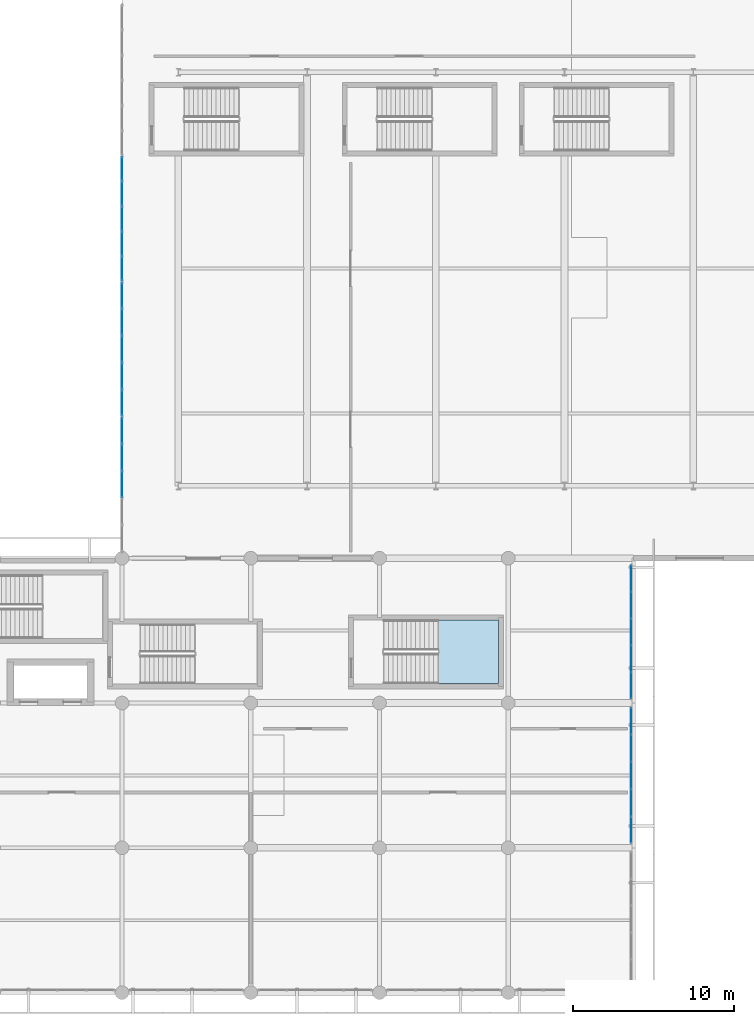
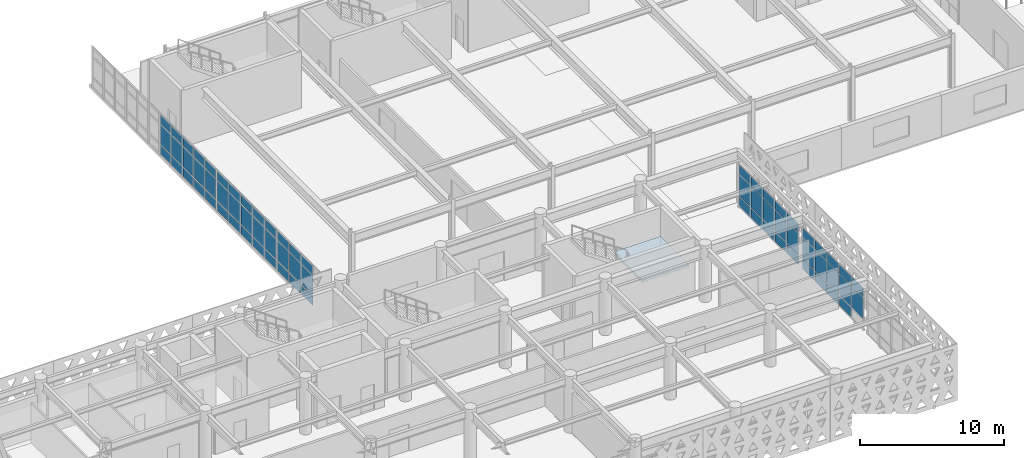
# One storey, part 32 of 54: 68 plates, 1 slab, 6 elements without a shape of their own.
"""IFC4 building model written with IfcOpenShell, lengths in metres."""

from ifc_helpers import new_model, si_unit, direction, frame, origin, origin_2d, place, context, subcontext, project, spatial, polyline, rectangle, outline, extrude, material, layer, layer_set, type_object, element, aggregate, save


model = new_model("IFC4")

# Units and contexts
model_context = context("Model", 3, precision=1e-05, world=origin(), true_north=direction((0.0, 1.0)))
body_context = subcontext(model_context, "Body", "Model", "MODEL_VIEW")
ifc_project = project(units=[si_unit("LENGTHUNIT", "METRE"), si_unit("AREAUNIT", "SQUARE_METRE"), si_unit("VOLUMEUNIT", "CUBIC_METRE"), si_unit("PLANEANGLEUNIT", "RADIAN"), si_unit("MASSUNIT", "GRAM", prefix="KILO")], contexts=[model_context])

# Site, building, storey
site_placement = place(None, origin())
site = spatial("IfcSite", under=ifc_project, at=site_placement, CompositionType="ELEMENT")
building_placement = place(site_placement, origin())
building = spatial("IfcBuilding", under=site, at=building_placement, Name="Tlacozan Convention Centre", CompositionType="ELEMENT")
storey_placement = place(building_placement, frame((0.0, 0.0, 11.39990234375)))
storey = spatial("IfcBuildingStorey", under=building, at=storey_placement, Name="L02", CompositionType="ELEMENT", Elevation=11.39990234375)

# Curtain wall, plates
ifc_material_1 = material(Name="Dark Bronze Anodised Aluminium", Category="aluminium")
ifc_layer_1 = layer(ifc_material_1, 0.159912109375)
ifc_layer_set_1 = layer_set([ifc_layer_1], Name="Dark Bronze Anodised Aluminium")
curtain_wall_type_1 = type_object("IfcCurtainWallType", Name="Unitised Congress Gable End CW06", PredefinedType="NOTDEFINED", material=ifc_layer_set_1)
curtain_wall_1_placement = place(storey_placement, origin())
curtain_wall_1 = element("IfcCurtainWall", 1, at=curtain_wall_1_placement, inside=storey, type_object=curtain_wall_type_1, Name="L02 CW-06 Run 99", PredefinedType="NOTDEFINED")
ifc_material_2 = material(Name="Solar Control Double Low-E Argon Glazing", Category="glass")
ifc_layer_2 = layer(ifc_material_2, 0.02001953125)
ifc_layer_set_2 = layer_set([ifc_layer_2], Name="Solar Control Double Low-E Argon Glazing")
plate_type = type_object("IfcPlateType", Name="Double Low-E Glazed CW Panel 20", PredefinedType="CURTAIN_PANEL", material=ifc_layer_set_2)
plate_1_placement = place(storey_placement, frame((119.639892578125, 10.114990234375, 0.93017578125), z_axis=(0.0, 0.0, 1.0), x_axis=(0.0, 1.0, 0.0)))
plate_1 = element("IfcPlate", 2, at=plate_1_placement, type_object=plate_type, Name="CW-06 panel 1.2", PredefinedType="CURTAIN_PANEL", context=body_context, shape_type="SweptSolid", body=[
    extrude(rectangle(XDim=1.610107421875, YDim=0.02001953125, at=origin_2d()), origin(), (0.0, 0.0, 1.0), 1.780029296875),
])
plate_2_placement = place(storey_placement, frame((119.639892578125, 10.114990234375, 2.77001953125), z_axis=(0.0, 0.0, 1.0), x_axis=(0.0, 1.0, 0.0)))
plate_2 = element("IfcPlate", 3, at=plate_2_placement, type_object=plate_type, Name="CW-06 panel 1.3", PredefinedType="CURTAIN_PANEL", context=body_context, shape_type="SweptSolid", body=[
    extrude(rectangle(XDim=1.610107421875, YDim=0.02001953125, at=origin_2d()), origin(), (0.0, 0.0, 1.0), 0.760009765625),
])
plate_3_placement = place(storey_placement, frame((119.639892578125, 11.800048828125, 0.06005859375), z_axis=(0.0, 0.0, 1.0), x_axis=(0.0, 1.0, 0.0)))
plate_3 = element("IfcPlate", 4, at=plate_3_placement, type_object=plate_type, Name="CW-06 panel 2.1", PredefinedType="CURTAIN_PANEL", context=body_context, shape_type="SweptSolid", body=[
    extrude(rectangle(XDim=1.639892578125, YDim=0.02001953125, at=origin_2d()), origin(), (0.0, 0.0, 1.0), 0.81005859375),
])
plate_4_placement = place(storey_placement, frame((119.639892578125, 11.800048828125, 0.93017578125), z_axis=(0.0, 0.0, 1.0), x_axis=(0.0, 1.0, 0.0)))
plate_4 = element("IfcPlate", 5, at=plate_4_placement, type_object=plate_type, Name="CW-06 panel 2.2", PredefinedType="CURTAIN_PANEL", context=body_context, shape_type="SweptSolid", body=[
    extrude(rectangle(XDim=1.639892578125, YDim=0.02001953125, at=origin_2d()), origin(), (0.0, 0.0, 1.0), 1.780029296875),
])
plate_5_placement = place(storey_placement, frame((119.639892578125, 11.800048828125, 2.77001953125), z_axis=(0.0, 0.0, 1.0), x_axis=(0.0, 1.0, 0.0)))
plate_5 = element("IfcPlate", 6, at=plate_5_placement, type_object=plate_type, Name="CW-06 panel 2.3", PredefinedType="CURTAIN_PANEL", context=body_context, shape_type="SweptSolid", body=[
    extrude(rectangle(XDim=1.639892578125, YDim=0.02001953125, at=origin_2d()), origin(), (0.0, 0.0, 1.0), 0.760009765625),
])
plate_6_placement = place(storey_placement, frame((119.639892578125, 13.5, 0.06005859375), z_axis=(0.0, 0.0, 1.0), x_axis=(0.0, 1.0, 0.0)))
plate_6 = element("IfcPlate", 7, at=plate_6_placement, type_object=plate_type, Name="CW-06 panel 3.1", PredefinedType="CURTAIN_PANEL", context=body_context, shape_type="SweptSolid", body=[
    extrude(rectangle(XDim=1.639892578125, YDim=0.02001953125, at=origin_2d()), origin(), (0.0, 0.0, 1.0), 0.81005859375),
])
plate_7_placement = place(storey_placement, frame((119.639892578125, 13.5, 0.93017578125), z_axis=(0.0, 0.0, 1.0), x_axis=(0.0, 1.0, 0.0)))
plate_7 = element("IfcPlate", 8, at=plate_7_placement, type_object=plate_type, Name="CW-06 panel 3.2", PredefinedType="CURTAIN_PANEL", context=body_context, shape_type="SweptSolid", body=[
    extrude(rectangle(XDim=1.639892578125, YDim=0.02001953125, at=origin_2d()), origin(), (0.0, 0.0, 1.0), 1.780029296875),
])
plate_8_placement = place(storey_placement, frame((119.639892578125, 13.5, 2.77001953125), z_axis=(0.0, 0.0, 1.0), x_axis=(0.0, 1.0, 0.0)))
plate_8 = element("IfcPlate", 9, at=plate_8_placement, type_object=plate_type, Name="CW-06 panel 3.3", PredefinedType="CURTAIN_PANEL", context=body_context, shape_type="SweptSolid", body=[
    extrude(rectangle(XDim=1.639892578125, YDim=0.02001953125, at=origin_2d()), origin(), (0.0, 0.0, 1.0), 0.760009765625),
])
plate_9_placement = place(storey_placement, frame((119.639892578125, 15.199951171875, 0.06005859375), z_axis=(0.0, 0.0, 1.0), x_axis=(0.0, 1.0, 0.0)))
plate_9 = element("IfcPlate", 10, at=plate_9_placement, type_object=plate_type, Name="CW-06 panel 4.1", PredefinedType="CURTAIN_PANEL", context=body_context, shape_type="SweptSolid", body=[
    extrude(rectangle(XDim=1.639892578125, YDim=0.02001953125, at=origin_2d()), origin(), (0.0, 0.0, 1.0), 0.81005859375),
])
plate_10_placement = place(storey_placement, frame((119.639892578125, 15.199951171875, 0.93017578125), z_axis=(0.0, 0.0, 1.0), x_axis=(0.0, 1.0, 0.0)))
plate_10 = element("IfcPlate", 11, at=plate_10_placement, type_object=plate_type, Name="CW-06 panel 4.2", PredefinedType="CURTAIN_PANEL", context=body_context, shape_type="SweptSolid", body=[
    extrude(rectangle(XDim=1.639892578125, YDim=0.02001953125, at=origin_2d()), origin(), (0.0, 0.0, 1.0), 1.780029296875),
])
plate_11_placement = place(storey_placement, frame((119.639892578125, 15.199951171875, 2.77001953125), z_axis=(0.0, 0.0, 1.0), x_axis=(0.0, 1.0, 0.0)))
plate_11 = element("IfcPlate", 12, at=plate_11_placement, type_object=plate_type, Name="CW-06 panel 4.3", PredefinedType="CURTAIN_PANEL", context=body_context, shape_type="SweptSolid", body=[
    extrude(rectangle(XDim=1.639892578125, YDim=0.02001953125, at=origin_2d()), origin(), (0.0, 0.0, 1.0), 0.760009765625),
])
plate_12_placement = place(storey_placement, frame((119.639892578125, 16.885009765625, 0.06005859375), z_axis=(0.0, 0.0, 1.0), x_axis=(0.0, 1.0, 0.0)))
plate_12 = element("IfcPlate", 13, at=plate_12_placement, type_object=plate_type, Name="CW-06 panel 5.1", PredefinedType="CURTAIN_PANEL", context=body_context, shape_type="SweptSolid", body=[
    extrude(rectangle(XDim=1.610107421875, YDim=0.02001953125, at=origin_2d()), origin(), (0.0, 0.0, 1.0), 0.81005859375),
])
plate_13_placement = place(storey_placement, frame((119.639892578125, 16.885009765625, 0.93017578125), z_axis=(0.0, 0.0, 1.0), x_axis=(0.0, 1.0, 0.0)))
plate_13 = element("IfcPlate", 14, at=plate_13_placement, type_object=plate_type, Name="CW-06 panel 5.2", PredefinedType="CURTAIN_PANEL", context=body_context, shape_type="SweptSolid", body=[
    extrude(rectangle(XDim=1.610107421875, YDim=0.02001953125, at=origin_2d()), origin(), (0.0, 0.0, 1.0), 1.780029296875),
])
plate_14_placement = place(storey_placement, frame((119.639892578125, 16.885009765625, 2.77001953125), z_axis=(0.0, 0.0, 1.0), x_axis=(0.0, 1.0, 0.0)))
plate_14 = element("IfcPlate", 15, at=plate_14_placement, type_object=plate_type, Name="CW-06 panel 5.3", PredefinedType="CURTAIN_PANEL", context=body_context, shape_type="SweptSolid", body=[
    extrude(rectangle(XDim=1.610107421875, YDim=0.02001953125, at=origin_2d()), origin(), (0.0, 0.0, 1.0), 0.760009765625),
])
aggregate(curtain_wall_1, [plate_1, plate_2, plate_3, plate_4, plate_5, plate_6, plate_7, plate_8, plate_9, plate_10, plate_11, plate_12, plate_13, plate_14])

curtain_wall_2_placement = place(storey_placement, origin())
curtain_wall_2 = element("IfcCurtainWall", 16, at=curtain_wall_2_placement, inside=storey, type_object=curtain_wall_type_1, Name="L02 CW-06 Run 101", PredefinedType="NOTDEFINED")
plate_15_placement = place(storey_placement, frame((119.639892578125, 19.09912109375, 0.06005859375), z_axis=(0.0, 0.0, 1.0), x_axis=(0.0, 1.0, 0.0)))
plate_15 = element("IfcPlate", 17, at=plate_15_placement, type_object=plate_type, Name="CW-06 panel 1.1", PredefinedType="CURTAIN_PANEL", context=body_context, shape_type="SweptSolid", body=[
    extrude(rectangle(XDim=1.577880859375, YDim=0.02001953125, at=origin_2d()), origin(), (0.0, 0.0, 1.0), 0.81005859375),
])
plate_16_placement = place(storey_placement, frame((119.639892578125, 19.09912109375, 0.93017578125), z_axis=(0.0, 0.0, 1.0), x_axis=(0.0, 1.0, 0.0)))
plate_16 = element("IfcPlate", 18, at=plate_16_placement, type_object=plate_type, Name="CW-06 panel 1.2", PredefinedType="CURTAIN_PANEL", context=body_context, shape_type="SweptSolid", body=[
    extrude(rectangle(XDim=1.577880859375, YDim=0.02001953125, at=origin_2d()), origin(), (0.0, 0.0, 1.0), 1.780029296875),
])
plate_17_placement = place(storey_placement, frame((119.639892578125, 19.09912109375, 2.77001953125), z_axis=(0.0, 0.0, 1.0), x_axis=(0.0, 1.0, 0.0)))
plate_17 = element("IfcPlate", 19, at=plate_17_placement, type_object=plate_type, Name="CW-06 panel 1.3", PredefinedType="CURTAIN_PANEL", context=body_context, shape_type="SweptSolid", body=[
    extrude(rectangle(XDim=1.577880859375, YDim=0.02001953125, at=origin_2d()), origin(), (0.0, 0.0, 1.0), 0.760009765625),
])
plate_18_placement = place(storey_placement, frame((119.639892578125, 20.751953125, 0.06005859375), z_axis=(0.0, 0.0, 1.0), x_axis=(0.0, 1.0, 0.0)))
plate_18 = element("IfcPlate", 20, at=plate_18_placement, type_object=plate_type, Name="CW-06 panel 2.1", PredefinedType="CURTAIN_PANEL", context=body_context, shape_type="SweptSolid", body=[
    extrude(rectangle(XDim=1.60791015625, YDim=0.02001953125, at=origin_2d()), origin(), (0.0, 0.0, 1.0), 0.81005859375),
])
plate_19_placement = place(storey_placement, frame((119.639892578125, 20.751953125, 0.93017578125), z_axis=(0.0, 0.0, 1.0), x_axis=(0.0, 1.0, 0.0)))
plate_19 = element("IfcPlate", 21, at=plate_19_placement, type_object=plate_type, Name="CW-06 panel 2.2", PredefinedType="CURTAIN_PANEL", context=body_context, shape_type="SweptSolid", body=[
    extrude(rectangle(XDim=1.60791015625, YDim=0.02001953125, at=origin_2d()), origin(), (0.0, 0.0, 1.0), 1.780029296875),
])
plate_20_placement = place(storey_placement, frame((119.639892578125, 20.751953125, 2.77001953125), z_axis=(0.0, 0.0, 1.0), x_axis=(0.0, 1.0, 0.0)))
plate_20 = element("IfcPlate", 22, at=plate_20_placement, type_object=plate_type, Name="CW-06 panel 2.3", PredefinedType="CURTAIN_PANEL", context=body_context, shape_type="SweptSolid", body=[
    extrude(rectangle(XDim=1.60791015625, YDim=0.02001953125, at=origin_2d()), origin(), (0.0, 0.0, 1.0), 0.760009765625),
])
plate_21_placement = place(storey_placement, frame((119.639892578125, 22.419921875, 0.06005859375), z_axis=(0.0, 0.0, 1.0), x_axis=(0.0, 1.0, 0.0)))
plate_21 = element("IfcPlate", 23, at=plate_21_placement, type_object=plate_type, Name="CW-06 panel 3.1", PredefinedType="CURTAIN_PANEL", context=body_context, shape_type="SweptSolid", body=[
    extrude(rectangle(XDim=1.60791015625, YDim=0.02001953125, at=origin_2d()), origin(), (0.0, 0.0, 1.0), 0.81005859375),
])
plate_22_placement = place(storey_placement, frame((119.639892578125, 22.419921875, 0.93017578125), z_axis=(0.0, 0.0, 1.0), x_axis=(0.0, 1.0, 0.0)))
plate_22 = element("IfcPlate", 24, at=plate_22_placement, type_object=plate_type, Name="CW-06 panel 3.2", PredefinedType="CURTAIN_PANEL", context=body_context, shape_type="SweptSolid", body=[
    extrude(rectangle(XDim=1.60791015625, YDim=0.02001953125, at=origin_2d()), origin(), (0.0, 0.0, 1.0), 1.780029296875),
])
plate_23_placement = place(storey_placement, frame((119.639892578125, 22.419921875, 2.77001953125), z_axis=(0.0, 0.0, 1.0), x_axis=(0.0, 1.0, 0.0)))
plate_23 = element("IfcPlate", 25, at=plate_23_placement, type_object=plate_type, Name="CW-06 panel 3.3", PredefinedType="CURTAIN_PANEL", context=body_context, shape_type="SweptSolid", body=[
    extrude(rectangle(XDim=1.60791015625, YDim=0.02001953125, at=origin_2d()), origin(), (0.0, 0.0, 1.0), 0.760009765625),
])
plate_24_placement = place(storey_placement, frame((119.639892578125, 24.087890625, 0.06005859375), z_axis=(0.0, 0.0, 1.0), x_axis=(0.0, 1.0, 0.0)))
plate_24 = element("IfcPlate", 26, at=plate_24_placement, type_object=plate_type, Name="CW-06 panel 4.1", PredefinedType="CURTAIN_PANEL", context=body_context, shape_type="SweptSolid", body=[
    extrude(rectangle(XDim=1.60791015625, YDim=0.02001953125, at=origin_2d()), origin(), (0.0, 0.0, 1.0), 0.81005859375),
])
plate_25_placement = place(storey_placement, frame((119.639892578125, 24.087890625, 0.93017578125), z_axis=(0.0, 0.0, 1.0), x_axis=(0.0, 1.0, 0.0)))
plate_25 = element("IfcPlate", 27, at=plate_25_placement, type_object=plate_type, Name="CW-06 panel 4.2", PredefinedType="CURTAIN_PANEL", context=body_context, shape_type="SweptSolid", body=[
    extrude(rectangle(XDim=1.60791015625, YDim=0.02001953125, at=origin_2d()), origin(), (0.0, 0.0, 1.0), 1.780029296875),
])
plate_26_placement = place(storey_placement, frame((119.639892578125, 24.087890625, 2.77001953125), z_axis=(0.0, 0.0, 1.0), x_axis=(0.0, 1.0, 0.0)))
plate_26 = element("IfcPlate", 28, at=plate_26_placement, type_object=plate_type, Name="CW-06 panel 4.3", PredefinedType="CURTAIN_PANEL", context=body_context, shape_type="SweptSolid", body=[
    extrude(rectangle(XDim=1.60791015625, YDim=0.02001953125, at=origin_2d()), origin(), (0.0, 0.0, 1.0), 0.760009765625),
])
plate_27_placement = place(storey_placement, frame((119.639892578125, 25.740966796875, 0.06005859375), z_axis=(0.0, 0.0, 1.0), x_axis=(0.0, 1.0, 0.0)))
plate_27 = element("IfcPlate", 29, at=plate_27_placement, type_object=plate_type, Name="CW-06 panel 5.1", PredefinedType="CURTAIN_PANEL", context=body_context, shape_type="SweptSolid", body=[
    extrude(rectangle(XDim=1.577880859375, YDim=0.02001953125, at=origin_2d()), origin(), (0.0, 0.0, 1.0), 0.81005859375),
])
plate_28_placement = place(storey_placement, frame((119.639892578125, 25.740966796875, 0.93017578125), z_axis=(0.0, 0.0, 1.0), x_axis=(0.0, 1.0, 0.0)))
plate_28 = element("IfcPlate", 30, at=plate_28_placement, type_object=plate_type, Name="CW-06 panel 5.2", PredefinedType="CURTAIN_PANEL", context=body_context, shape_type="SweptSolid", body=[
    extrude(rectangle(XDim=1.577880859375, YDim=0.02001953125, at=origin_2d()), origin(), (0.0, 0.0, 1.0), 1.780029296875),
])
plate_29_placement = place(storey_placement, frame((119.639892578125, 25.740966796875, 2.77001953125), z_axis=(0.0, 0.0, 1.0), x_axis=(0.0, 1.0, 0.0)))
plate_29 = element("IfcPlate", 31, at=plate_29_placement, type_object=plate_type, Name="CW-06 panel 5.3", PredefinedType="CURTAIN_PANEL", context=body_context, shape_type="SweptSolid", body=[
    extrude(rectangle(XDim=1.577880859375, YDim=0.02001953125, at=origin_2d()), origin(), (0.0, 0.0, 1.0), 0.760009765625),
])
aggregate(curtain_wall_2, [plate_15, plate_16, plate_17, plate_18, plate_19, plate_20, plate_21, plate_22, plate_23, plate_24, plate_25, plate_26, plate_27, plate_28, plate_29])

ifc_layer_3 = layer(ifc_material_1, 0.199951171875)
ifc_layer_set_3 = layer_set([ifc_layer_3], Name="Dark Bronze Anodised Aluminium")
curtain_wall_type_2 = type_object("IfcCurtainWallType", Name="Unitised Dining Cloister L02 CW09", PredefinedType="NOTDEFINED", material=ifc_layer_set_3)
curtain_wall_3_placement = place(storey_placement, origin())
curtain_wall_3 = element("IfcCurtainWall", 32, at=curtain_wall_3_placement, inside=storey, type_object=curtain_wall_type_2, Name="L02 CW-09 Run 156", PredefinedType="NOTDEFINED")
plate_30_placement = place(storey_placement, frame((88.0, 31.60009765625, 0.074951171875), z_axis=(0.0, 0.0, 1.0), x_axis=(0.0, 1.0, 0.0)))
plate_30 = element("IfcPlate", 33, at=plate_30_placement, type_object=plate_type, Name="CW-09 panel 3.1", PredefinedType="CURTAIN_PANEL", context=body_context, shape_type="SweptSolid", body=[
    extrude(rectangle(XDim=1.60498046875, YDim=0.02001953125, at=origin_2d()), origin(), (0.0, 0.0, 1.0), 0.78759765625),
])
plate_31_placement = place(storey_placement, frame((88.0, 31.60009765625, 0.9375), z_axis=(0.0, 0.0, 1.0), x_axis=(0.0, 1.0, 0.0)))
plate_31 = element("IfcPlate", 34, at=plate_31_placement, type_object=plate_type, Name="CW-09 panel 3.2", PredefinedType="CURTAIN_PANEL", context=body_context, shape_type="SweptSolid", body=[
    extrude(rectangle(XDim=1.60498046875, YDim=0.02001953125, at=origin_2d()), origin(), (0.0, 0.0, 1.0), 1.675048828125),
])
plate_32_placement = place(storey_placement, frame((88.0, 31.60009765625, 2.6875), z_axis=(0.0, 0.0, 1.0), x_axis=(0.0, 1.0, 0.0)))
plate_32 = element("IfcPlate", 35, at=plate_32_placement, type_object=plate_type, Name="CW-09 panel 3.3", PredefinedType="CURTAIN_PANEL", context=body_context, shape_type="SweptSolid", body=[
    extrude(rectangle(XDim=1.60498046875, YDim=0.02001953125, at=origin_2d()), origin(), (0.0, 0.0, 1.0), 0.737548828125),
])
plate_33_placement = place(storey_placement, frame((88.0, 33.280029296875, 0.074951171875), z_axis=(0.0, 0.0, 1.0), x_axis=(0.0, 1.0, 0.0)))
plate_33 = element("IfcPlate", 36, at=plate_33_placement, type_object=plate_type, Name="CW-09 panel 4.1", PredefinedType="CURTAIN_PANEL", context=body_context, shape_type="SweptSolid", body=[
    extrude(rectangle(XDim=1.60498046875, YDim=0.02001953125, at=origin_2d()), origin(), (0.0, 0.0, 1.0), 0.78759765625),
])
plate_34_placement = place(storey_placement, frame((88.0, 33.280029296875, 0.9375), z_axis=(0.0, 0.0, 1.0), x_axis=(0.0, 1.0, 0.0)))
plate_34 = element("IfcPlate", 37, at=plate_34_placement, type_object=plate_type, Name="CW-09 panel 4.2", PredefinedType="CURTAIN_PANEL", context=body_context, shape_type="SweptSolid", body=[
    extrude(rectangle(XDim=1.60498046875, YDim=0.02001953125, at=origin_2d()), origin(), (0.0, 0.0, 1.0), 1.675048828125),
])
plate_35_placement = place(storey_placement, frame((88.0, 33.280029296875, 2.6875), z_axis=(0.0, 0.0, 1.0), x_axis=(0.0, 1.0, 0.0)))
plate_35 = element("IfcPlate", 38, at=plate_35_placement, type_object=plate_type, Name="CW-09 panel 4.3", PredefinedType="CURTAIN_PANEL", context=body_context, shape_type="SweptSolid", body=[
    extrude(rectangle(XDim=1.60498046875, YDim=0.02001953125, at=origin_2d()), origin(), (0.0, 0.0, 1.0), 0.737548828125),
])
plate_36_placement = place(storey_placement, frame((88.0, 34.941162109375, 0.074951171875), z_axis=(0.0, 0.0, 1.0), x_axis=(0.0, 1.0, 0.0)))
plate_36 = element("IfcPlate", 39, at=plate_36_placement, type_object=plate_type, Name="CW-09 panel 5.1", PredefinedType="CURTAIN_PANEL", context=body_context, shape_type="SweptSolid", body=[
    extrude(rectangle(XDim=1.5673828125, YDim=0.02001953125, at=origin_2d()), origin(), (0.0, 0.0, 1.0), 0.78759765625),
])
plate_37_placement = place(storey_placement, frame((88.0, 34.941162109375, 0.9375), z_axis=(0.0, 0.0, 1.0), x_axis=(0.0, 1.0, 0.0)))
plate_37 = element("IfcPlate", 40, at=plate_37_placement, type_object=plate_type, Name="CW-09 panel 5.2", PredefinedType="CURTAIN_PANEL", context=body_context, shape_type="SweptSolid", body=[
    extrude(rectangle(XDim=1.5673828125, YDim=0.02001953125, at=origin_2d()), origin(), (0.0, 0.0, 1.0), 1.675048828125),
])
plate_38_placement = place(storey_placement, frame((88.0, 34.941162109375, 2.6875), z_axis=(0.0, 0.0, 1.0), x_axis=(0.0, 1.0, 0.0)))
plate_38 = element("IfcPlate", 41, at=plate_38_placement, type_object=plate_type, Name="CW-09 panel 5.3", PredefinedType="CURTAIN_PANEL", context=body_context, shape_type="SweptSolid", body=[
    extrude(rectangle(XDim=1.5673828125, YDim=0.02001953125, at=origin_2d()), origin(), (0.0, 0.0, 1.0), 0.737548828125),
])
aggregate(curtain_wall_3, [plate_30, plate_31, plate_32, plate_33, plate_34, plate_35, plate_36, plate_37, plate_38])

curtain_wall_4_placement = place(storey_placement, origin())
curtain_wall_4 = element("IfcCurtainWall", 42, at=curtain_wall_4_placement, inside=storey, type_object=curtain_wall_type_2, Name="L02 CW-09 Run 158", PredefinedType="NOTDEFINED")
plate_39_placement = place(storey_placement, frame((88.0, 36.65869140625, 0.074951171875), z_axis=(0.0, 0.0, 1.0), x_axis=(0.0, 1.0, 0.0)))
plate_39 = element("IfcPlate", 43, at=plate_39_placement, type_object=plate_type, Name="CW-09 panel 1.1", PredefinedType="CURTAIN_PANEL", context=body_context, shape_type="SweptSolid", body=[
    extrude(rectangle(XDim=1.5673828125, YDim=0.02001953125, at=origin_2d()), origin(), (0.0, 0.0, 1.0), 0.78759765625),
])
plate_40_placement = place(storey_placement, frame((88.0, 36.65869140625, 0.9375), z_axis=(0.0, 0.0, 1.0), x_axis=(0.0, 1.0, 0.0)))
plate_40 = element("IfcPlate", 44, at=plate_40_placement, type_object=plate_type, Name="CW-09 panel 1.2", PredefinedType="CURTAIN_PANEL", context=body_context, shape_type="SweptSolid", body=[
    extrude(rectangle(XDim=1.5673828125, YDim=0.02001953125, at=origin_2d()), origin(), (0.0, 0.0, 1.0), 1.675048828125),
])
plate_41_placement = place(storey_placement, frame((88.0, 36.65869140625, 2.6875), z_axis=(0.0, 0.0, 1.0), x_axis=(0.0, 1.0, 0.0)))
plate_41 = element("IfcPlate", 45, at=plate_41_placement, type_object=plate_type, Name="CW-09 panel 1.3", PredefinedType="CURTAIN_PANEL", context=body_context, shape_type="SweptSolid", body=[
    extrude(rectangle(XDim=1.5673828125, YDim=0.02001953125, at=origin_2d()), origin(), (0.0, 0.0, 1.0), 0.737548828125),
])
plate_42_placement = place(storey_placement, frame((88.0, 38.320068359375, 0.074951171875), z_axis=(0.0, 0.0, 1.0), x_axis=(0.0, 1.0, 0.0)))
plate_42 = element("IfcPlate", 46, at=plate_42_placement, type_object=plate_type, Name="CW-09 panel 2.1", PredefinedType="CURTAIN_PANEL", context=body_context, shape_type="SweptSolid", body=[
    extrude(rectangle(XDim=1.60498046875, YDim=0.02001953125, at=origin_2d()), origin(), (0.0, 0.0, 1.0), 0.78759765625),
])
plate_43_placement = place(storey_placement, frame((88.0, 38.320068359375, 0.9375), z_axis=(0.0, 0.0, 1.0), x_axis=(0.0, 1.0, 0.0)))
plate_43 = element("IfcPlate", 47, at=plate_43_placement, type_object=plate_type, Name="CW-09 panel 2.2", PredefinedType="CURTAIN_PANEL", context=body_context, shape_type="SweptSolid", body=[
    extrude(rectangle(XDim=1.60498046875, YDim=0.02001953125, at=origin_2d()), origin(), (0.0, 0.0, 1.0), 1.675048828125),
])
plate_44_placement = place(storey_placement, frame((88.0, 38.320068359375, 2.6875), z_axis=(0.0, 0.0, 1.0), x_axis=(0.0, 1.0, 0.0)))
plate_44 = element("IfcPlate", 48, at=plate_44_placement, type_object=plate_type, Name="CW-09 panel 2.3", PredefinedType="CURTAIN_PANEL", context=body_context, shape_type="SweptSolid", body=[
    extrude(rectangle(XDim=1.60498046875, YDim=0.02001953125, at=origin_2d()), origin(), (0.0, 0.0, 1.0), 0.737548828125),
])
plate_45_placement = place(storey_placement, frame((88.0, 40.0, 0.074951171875), z_axis=(0.0, 0.0, 1.0), x_axis=(0.0, 1.0, 0.0)))
plate_45 = element("IfcPlate", 49, at=plate_45_placement, type_object=plate_type, Name="CW-09 panel 3.1", PredefinedType="CURTAIN_PANEL", context=body_context, shape_type="SweptSolid", body=[
    extrude(rectangle(XDim=1.60498046875, YDim=0.02001953125, at=origin_2d()), origin(), (0.0, 0.0, 1.0), 0.78759765625),
])
plate_46_placement = place(storey_placement, frame((88.0, 40.0, 0.9375), z_axis=(0.0, 0.0, 1.0), x_axis=(0.0, 1.0, 0.0)))
plate_46 = element("IfcPlate", 50, at=plate_46_placement, type_object=plate_type, Name="CW-09 panel 3.2", PredefinedType="CURTAIN_PANEL", context=body_context, shape_type="SweptSolid", body=[
    extrude(rectangle(XDim=1.60498046875, YDim=0.02001953125, at=origin_2d()), origin(), (0.0, 0.0, 1.0), 1.675048828125),
])
plate_47_placement = place(storey_placement, frame((88.0, 40.0, 2.6875), z_axis=(0.0, 0.0, 1.0), x_axis=(0.0, 1.0, 0.0)))
plate_47 = element("IfcPlate", 51, at=plate_47_placement, type_object=plate_type, Name="CW-09 panel 3.3", PredefinedType="CURTAIN_PANEL", context=body_context, shape_type="SweptSolid", body=[
    extrude(rectangle(XDim=1.60498046875, YDim=0.02001953125, at=origin_2d()), origin(), (0.0, 0.0, 1.0), 0.737548828125),
])
plate_48_placement = place(storey_placement, frame((88.0, 41.679931640625, 0.074951171875), z_axis=(0.0, 0.0, 1.0), x_axis=(0.0, 1.0, 0.0)))
plate_48 = element("IfcPlate", 52, at=plate_48_placement, type_object=plate_type, Name="CW-09 panel 4.1", PredefinedType="CURTAIN_PANEL", context=body_context, shape_type="SweptSolid", body=[
    extrude(rectangle(XDim=1.60498046875, YDim=0.02001953125, at=origin_2d()), origin(), (0.0, 0.0, 1.0), 0.78759765625),
])
plate_49_placement = place(storey_placement, frame((88.0, 41.679931640625, 0.9375), z_axis=(0.0, 0.0, 1.0), x_axis=(0.0, 1.0, 0.0)))
plate_49 = element("IfcPlate", 53, at=plate_49_placement, type_object=plate_type, Name="CW-09 panel 4.2", PredefinedType="CURTAIN_PANEL", context=body_context, shape_type="SweptSolid", body=[
    extrude(rectangle(XDim=1.60498046875, YDim=0.02001953125, at=origin_2d()), origin(), (0.0, 0.0, 1.0), 1.675048828125),
])
plate_50_placement = place(storey_placement, frame((88.0, 41.679931640625, 2.6875), z_axis=(0.0, 0.0, 1.0), x_axis=(0.0, 1.0, 0.0)))
plate_50 = element("IfcPlate", 54, at=plate_50_placement, type_object=plate_type, Name="CW-09 panel 4.3", PredefinedType="CURTAIN_PANEL", context=body_context, shape_type="SweptSolid", body=[
    extrude(rectangle(XDim=1.60498046875, YDim=0.02001953125, at=origin_2d()), origin(), (0.0, 0.0, 1.0), 0.737548828125),
])
plate_51_placement = place(storey_placement, frame((88.0, 43.34130859375, 0.074951171875), z_axis=(0.0, 0.0, 1.0), x_axis=(0.0, 1.0, 0.0)))
plate_51 = element("IfcPlate", 55, at=plate_51_placement, type_object=plate_type, Name="CW-09 panel 5.1", PredefinedType="CURTAIN_PANEL", context=body_context, shape_type="SweptSolid", body=[
    extrude(rectangle(XDim=1.5673828125, YDim=0.02001953125, at=origin_2d()), origin(), (0.0, 0.0, 1.0), 0.78759765625),
])
plate_52_placement = place(storey_placement, frame((88.0, 43.34130859375, 0.9375), z_axis=(0.0, 0.0, 1.0), x_axis=(0.0, 1.0, 0.0)))
plate_52 = element("IfcPlate", 56, at=plate_52_placement, type_object=plate_type, Name="CW-09 panel 5.2", PredefinedType="CURTAIN_PANEL", context=body_context, shape_type="SweptSolid", body=[
    extrude(rectangle(XDim=1.5673828125, YDim=0.02001953125, at=origin_2d()), origin(), (0.0, 0.0, 1.0), 1.675048828125),
])
plate_53_placement = place(storey_placement, frame((88.0, 43.34130859375, 2.6875), z_axis=(0.0, 0.0, 1.0), x_axis=(0.0, 1.0, 0.0)))
plate_53 = element("IfcPlate", 57, at=plate_53_placement, type_object=plate_type, Name="CW-09 panel 5.3", PredefinedType="CURTAIN_PANEL", context=body_context, shape_type="SweptSolid", body=[
    extrude(rectangle(XDim=1.5673828125, YDim=0.02001953125, at=origin_2d()), origin(), (0.0, 0.0, 1.0), 0.737548828125),
])
aggregate(curtain_wall_4, [plate_39, plate_40, plate_41, plate_42, plate_43, plate_44, plate_45, plate_46, plate_47, plate_48, plate_49, plate_50, plate_51, plate_52, plate_53])

curtain_wall_5_placement = place(storey_placement, origin())
curtain_wall_5 = element("IfcCurtainWall", 58, at=curtain_wall_5_placement, inside=storey, type_object=curtain_wall_type_2, Name="L02 CW-09 Run 161", PredefinedType="NOTDEFINED")
plate_54_placement = place(storey_placement, frame((88.0, 44.998779296875, 0.074951171875), z_axis=(0.0, 0.0, 1.0), x_axis=(0.0, 1.0, 0.0)))
plate_54 = element("IfcPlate", 59, at=plate_54_placement, type_object=plate_type, Name="CW-09 panel 1.1", PredefinedType="CURTAIN_PANEL", context=body_context, shape_type="SweptSolid", body=[
    extrude(rectangle(XDim=1.447509765625, YDim=0.02001953125, at=origin_2d()), origin(), (0.0, 0.0, 1.0), 0.78759765625),
])
plate_55_placement = place(storey_placement, frame((88.0, 44.998779296875, 0.9375), z_axis=(0.0, 0.0, 1.0), x_axis=(0.0, 1.0, 0.0)))
plate_55 = element("IfcPlate", 60, at=plate_55_placement, type_object=plate_type, Name="CW-09 panel 1.2", PredefinedType="CURTAIN_PANEL", context=body_context, shape_type="SweptSolid", body=[
    extrude(rectangle(XDim=1.447509765625, YDim=0.02001953125, at=origin_2d()), origin(), (0.0, 0.0, 1.0), 1.675048828125),
])
plate_56_placement = place(storey_placement, frame((88.0, 44.998779296875, 2.6875), z_axis=(0.0, 0.0, 1.0), x_axis=(0.0, 1.0, 0.0)))
plate_56 = element("IfcPlate", 61, at=plate_56_placement, type_object=plate_type, Name="CW-09 panel 1.3", PredefinedType="CURTAIN_PANEL", context=body_context, shape_type="SweptSolid", body=[
    extrude(rectangle(XDim=1.447509765625, YDim=0.02001953125, at=origin_2d()), origin(), (0.0, 0.0, 1.0), 0.737548828125),
])
plate_57_placement = place(storey_placement, frame((88.0, 46.5400390625, 0.074951171875), z_axis=(0.0, 0.0, 1.0), x_axis=(0.0, 1.0, 0.0)))
plate_57 = element("IfcPlate", 62, at=plate_57_placement, type_object=plate_type, Name="CW-09 panel 2.1", PredefinedType="CURTAIN_PANEL", context=body_context, shape_type="SweptSolid", body=[
    extrude(rectangle(XDim=1.485107421875, YDim=0.02001953125, at=origin_2d()), origin(), (0.0, 0.0, 1.0), 0.78759765625),
])
plate_58_placement = place(storey_placement, frame((88.0, 46.5400390625, 0.9375), z_axis=(0.0, 0.0, 1.0), x_axis=(0.0, 1.0, 0.0)))
plate_58 = element("IfcPlate", 63, at=plate_58_placement, type_object=plate_type, Name="CW-09 panel 2.2", PredefinedType="CURTAIN_PANEL", context=body_context, shape_type="SweptSolid", body=[
    extrude(rectangle(XDim=1.485107421875, YDim=0.02001953125, at=origin_2d()), origin(), (0.0, 0.0, 1.0), 1.675048828125),
])
plate_59_placement = place(storey_placement, frame((88.0, 46.5400390625, 2.6875), z_axis=(0.0, 0.0, 1.0), x_axis=(0.0, 1.0, 0.0)))
plate_59 = element("IfcPlate", 64, at=plate_59_placement, type_object=plate_type, Name="CW-09 panel 2.3", PredefinedType="CURTAIN_PANEL", context=body_context, shape_type="SweptSolid", body=[
    extrude(rectangle(XDim=1.485107421875, YDim=0.02001953125, at=origin_2d()), origin(), (0.0, 0.0, 1.0), 0.737548828125),
])
plate_60_placement = place(storey_placement, frame((88.0, 48.10009765625, 0.074951171875), z_axis=(0.0, 0.0, 1.0), x_axis=(0.0, 1.0, 0.0)))
plate_60 = element("IfcPlate", 65, at=plate_60_placement, type_object=plate_type, Name="CW-09 panel 3.1", PredefinedType="CURTAIN_PANEL", context=body_context, shape_type="SweptSolid", body=[
    extrude(rectangle(XDim=1.485107421875, YDim=0.02001953125, at=origin_2d()), origin(), (0.0, 0.0, 1.0), 0.78759765625),
])
plate_61_placement = place(storey_placement, frame((88.0, 48.10009765625, 0.9375), z_axis=(0.0, 0.0, 1.0), x_axis=(0.0, 1.0, 0.0)))
plate_61 = element("IfcPlate", 66, at=plate_61_placement, type_object=plate_type, Name="CW-09 panel 3.2", PredefinedType="CURTAIN_PANEL", context=body_context, shape_type="SweptSolid", body=[
    extrude(rectangle(XDim=1.485107421875, YDim=0.02001953125, at=origin_2d()), origin(), (0.0, 0.0, 1.0), 1.675048828125),
])
plate_62_placement = place(storey_placement, frame((88.0, 48.10009765625, 2.6875), z_axis=(0.0, 0.0, 1.0), x_axis=(0.0, 1.0, 0.0)))
plate_62 = element("IfcPlate", 67, at=plate_62_placement, type_object=plate_type, Name="CW-09 panel 3.3", PredefinedType="CURTAIN_PANEL", context=body_context, shape_type="SweptSolid", body=[
    extrude(rectangle(XDim=1.485107421875, YDim=0.02001953125, at=origin_2d()), origin(), (0.0, 0.0, 1.0), 0.737548828125),
])
plate_63_placement = place(storey_placement, frame((88.0, 49.659912109375, 0.074951171875), z_axis=(0.0, 0.0, 1.0), x_axis=(0.0, 1.0, 0.0)))
plate_63 = element("IfcPlate", 68, at=plate_63_placement, type_object=plate_type, Name="CW-09 panel 4.1", PredefinedType="CURTAIN_PANEL", context=body_context, shape_type="SweptSolid", body=[
    extrude(rectangle(XDim=1.485107421875, YDim=0.02001953125, at=origin_2d()), origin(), (0.0, 0.0, 1.0), 0.78759765625),
])
plate_64_placement = place(storey_placement, frame((88.0, 49.659912109375, 0.9375), z_axis=(0.0, 0.0, 1.0), x_axis=(0.0, 1.0, 0.0)))
plate_64 = element("IfcPlate", 69, at=plate_64_placement, type_object=plate_type, Name="CW-09 panel 4.2", PredefinedType="CURTAIN_PANEL", context=body_context, shape_type="SweptSolid", body=[
    extrude(rectangle(XDim=1.485107421875, YDim=0.02001953125, at=origin_2d()), origin(), (0.0, 0.0, 1.0), 1.675048828125),
])
plate_65_placement = place(storey_placement, frame((88.0, 49.659912109375, 2.6875), z_axis=(0.0, 0.0, 1.0), x_axis=(0.0, 1.0, 0.0)))
plate_65 = element("IfcPlate", 70, at=plate_65_placement, type_object=plate_type, Name="CW-09 panel 4.3", PredefinedType="CURTAIN_PANEL", context=body_context, shape_type="SweptSolid", body=[
    extrude(rectangle(XDim=1.485107421875, YDim=0.02001953125, at=origin_2d()), origin(), (0.0, 0.0, 1.0), 0.737548828125),
])
plate_66_placement = place(storey_placement, frame((88.0, 51.201171875, 0.074951171875), z_axis=(0.0, 0.0, 1.0), x_axis=(0.0, 1.0, 0.0)))
plate_66 = element("IfcPlate", 71, at=plate_66_placement, type_object=plate_type, Name="CW-09 panel 5.1", PredefinedType="CURTAIN_PANEL", context=body_context, shape_type="SweptSolid", body=[
    extrude(rectangle(XDim=1.447509765625, YDim=0.02001953125, at=origin_2d()), origin(), (0.0, 0.0, 1.0), 0.78759765625),
])
plate_67_placement = place(storey_placement, frame((88.0, 51.201171875, 0.9375), z_axis=(0.0, 0.0, 1.0), x_axis=(0.0, 1.0, 0.0)))
plate_67 = element("IfcPlate", 72, at=plate_67_placement, type_object=plate_type, Name="CW-09 panel 5.2", PredefinedType="CURTAIN_PANEL", context=body_context, shape_type="SweptSolid", body=[
    extrude(rectangle(XDim=1.447509765625, YDim=0.02001953125, at=origin_2d()), origin(), (0.0, 0.0, 1.0), 1.675048828125),
])
plate_68_placement = place(storey_placement, frame((88.0, 51.201171875, 2.6875), z_axis=(0.0, 0.0, 1.0), x_axis=(0.0, 1.0, 0.0)))
plate_68 = element("IfcPlate", 73, at=plate_68_placement, type_object=plate_type, Name="CW-09 panel 5.3", PredefinedType="CURTAIN_PANEL", context=body_context, shape_type="SweptSolid", body=[
    extrude(rectangle(XDim=1.447509765625, YDim=0.02001953125, at=origin_2d()), origin(), (0.0, 0.0, 1.0), 0.737548828125),
])
aggregate(curtain_wall_5, [plate_54, plate_55, plate_56, plate_57, plate_58, plate_59, plate_60, plate_61, plate_62, plate_63, plate_64, plate_65, plate_66, plate_67, plate_68])

# Stair, slab
ifc_material_3 = material(Name="Concrete C40/50", Category="concrete")
stair_type = type_object("IfcStairType", Name="Protected Dogleg Stair W188 H48", PredefinedType="HALF_TURN_STAIR", material=ifc_material_3)
stair_placement = place(storey_placement, origin())
stair = element("IfcStair", 74, at=stair_placement, inside=storey, type_object=stair_type, Name="L02 East Congress Stair", PredefinedType="HALF_TURN_STAIR")
ifc_layer_4 = layer(ifc_material_3, 0.199951171875)
ifc_layer_set_4 = layer_set([ifc_layer_4], Name="Concrete C40/50")
slab_type = type_object("IfcSlabType", Name="Stair Half Landing Slab 200", PredefinedType="LANDING", material=ifc_layer_set_4)
slab_placement = place(storey_placement, frame((0.0, 0.0, 2.2001953125)))
slab = element("IfcSlab", 75, at=slab_placement, type_object=slab_type, Name="ST-05 landing 1", PredefinedType="LANDING", context=body_context, shape_type="SweptSolid", body=[
    extrude(outline(polyline([(107.639892578125, 19.199951171875), (111.39990234375, 19.199951171875), (111.39990234375, 23.159912109375), (107.639892578125, 23.159912109375), (107.639892578125, 19.199951171875)])), origin(), (0.0, 0.0, 1.0), 0.199951171875),
])
aggregate(stair, [slab])

save(model, "model.ifc")
